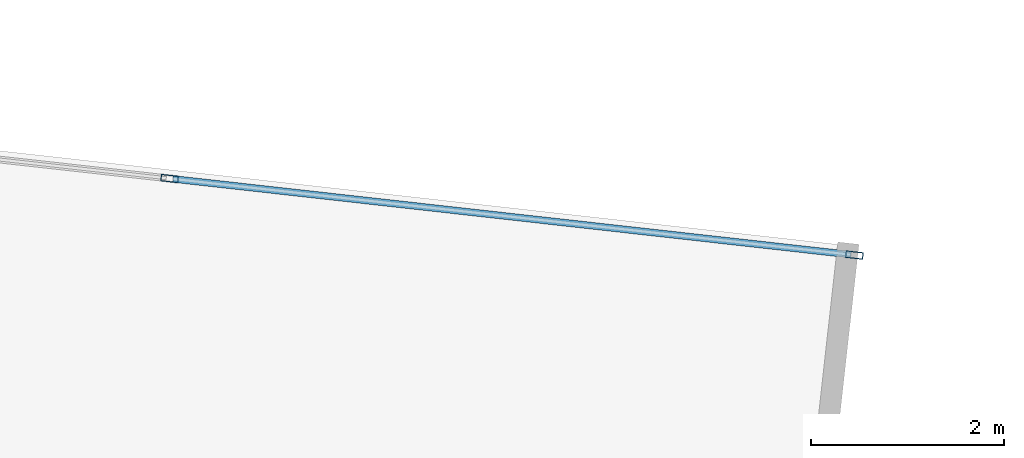
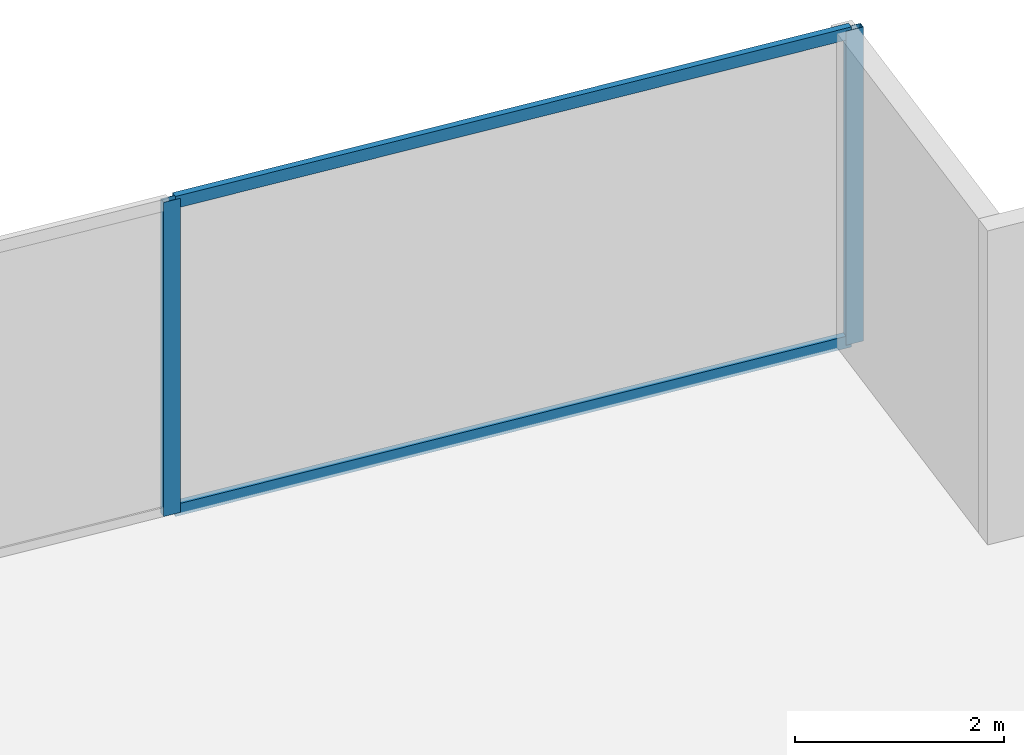
# One storey, part 23 of 29: 4 members, 1 element without a shape of its own.
"""IFC4 building model written with IfcOpenShell, lengths in metres."""

from ifc_helpers import new_model, si_unit, direction, frame, origin, origin_2d, place, context, subcontext, project, spatial, hollow_rectangle, extrude, source, transform, mapped, material, material_profile, profile_set, type_object, type_shapes, element, aggregate, save


model = new_model("IFC4")

# Units and contexts
model_context = context("Model", 3, precision=1e-05, world=origin(), true_north=direction((0.0, 1.0)))
body_context = subcontext(model_context, "Body", "Model", "MODEL_VIEW")
ifc_project = project(units=[si_unit("LENGTHUNIT", "METRE"), si_unit("AREAUNIT", "SQUARE_METRE"), si_unit("VOLUMEUNIT", "CUBIC_METRE"), si_unit("PLANEANGLEUNIT", "RADIAN"), si_unit("MASSUNIT", "GRAM", prefix="KILO")], contexts=[model_context])

# Site, building, storey
site_placement = place(None, origin())
site = spatial("IfcSite", under=ifc_project, at=site_placement, CompositionType="ELEMENT")
building_placement = place(site_placement, origin())
building = spatial("IfcBuilding", under=site, at=building_placement, Name="Krantzveldt Concourse Tower", CompositionType="ELEMENT")
storey_placement = place(building_placement, frame((0.0, 0.0, 60.550048828125)))
storey = spatial("IfcBuildingStorey", under=building, at=storey_placement, Name="L14", CompositionType="ELEMENT", Elevation=60.550048828125)

# Curtain wall, members
ifc_material = material(Name="Anodised aluminium 6063-T6", Category="aluminium")
curtain_wall_type = type_object("IfcCurtainWallType", Name="CW2", PredefinedType="USERDEFINED", material=ifc_material)
curtain_wall_placement = place(storey_placement, origin())
curtain_wall = element("IfcCurtainWall", 1, at=curtain_wall_placement, inside=storey, type_object=curtain_wall_type, Name="CW-L14-F10", ObjectType="UNITISED CURTAIN WALL", PredefinedType="USERDEFINED")
ifc_material_profile_1 = material_profile(ifc_material, hollow_rectangle(XDim=0.070068359375, YDim=0.179931640625, WallThickness=0.0048828125, at=origin_2d()), Name="Anodised aluminium 6063-T6", Category="aluminium")
ifc_profile_set_1 = profile_set([ifc_material_profile_1], Name="Anodised aluminium 6063-T6 - ALU-MULL 180x70x5")
member_type_1 = type_object("IfcMemberType", Name="CW-MUL-180", PredefinedType="MULLION", material=ifc_profile_set_1)
shared_shape_1 = source(origin(), body_context, "Body", "SweptSolid", [
    extrude(hollow_rectangle(XDim=0.070068359375, YDim=0.179931640625, WallThickness=0.0048828125, at=origin_2d()), origin(), (0.0, 0.0, 1.0), 3.669921875),
])
type_shapes(member_type_1, [shared_shape_1])
member_1_placement = place(storey_placement, frame((60.09814453125, 49.072509765625, 0.0), z_axis=(0.0, 0.0, 1.0), x_axis=(-0.111035342863, -0.993816458223, 0.0)))
member_1 = element("IfcMember", 2, at=member_1_placement, type_object=member_type_1, Name="CW-Z12 mullion 1", PredefinedType="MULLION", context=body_context, shape_type="MappedRepresentation", body=[
    mapped(shared_shape_1, transform((0.0, 0.0, 0.0), x_axis=(1.0, 0.0, 0.0), y_axis=(0.0, 1.0, 0.0), z_axis=(0.0, 0.0, 1.0), scale=1.0)),
])
member_2_placement = place(storey_placement, frame((53.010498046875, 49.864501953125, 0.0), z_axis=(0.0, 0.0, 1.0), x_axis=(-0.111035342863, -0.993816458223, 0.0)))
member_2 = element("IfcMember", 3, at=member_2_placement, type_object=member_type_1, Name="CW-Z12 mullion 2", PredefinedType="MULLION", context=body_context, shape_type="MappedRepresentation", body=[
    mapped(shared_shape_1, transform((0.0, 0.0, 0.0), x_axis=(1.0, 0.0, 0.0), y_axis=(0.0, 1.0, 0.0), z_axis=(0.0, 0.0, 1.0), scale=1.0)),
])
ifc_material_profile_2 = material_profile(ifc_material, hollow_rectangle(XDim=0.070068359375, YDim=0.139892578125, WallThickness=0.0048828125, at=origin_2d()), Name="Anodised aluminium 6063-T6", Category="aluminium")
ifc_profile_set_2 = profile_set([ifc_material_profile_2], Name="Anodised aluminium 6063-T6 - ALU-TRAN 140x70x5")
member_type_2 = type_object("IfcMemberType", Name="CW-TRN-150", PredefinedType="USERDEFINED", material=ifc_profile_set_2)
shared_shape_2 = source(origin(), body_context, "Body", "SweptSolid", [
    extrude(hollow_rectangle(XDim=0.070068359375, YDim=0.139892578125, WallThickness=0.0048828125, at=origin_2d()), origin(), (0.0, 0.0, 1.0), 7.061767578125),
])
type_shapes(member_type_2, [shared_shape_2])
member_3_placement = place(storey_placement, frame((60.0634765625, 49.076416015625, 0.034912109375), z_axis=(-0.993815243208, 0.111046217254, 0.0), x_axis=(-0.111046217254, -0.993815243208, 0.0)))
member_3 = element("IfcMember", 4, at=member_3_placement, type_object=member_type_2, Name="CW-Z12 transom 1.1", ObjectType="TRANSOM", PredefinedType="USERDEFINED", context=body_context, shape_type="MappedRepresentation", body=[
    mapped(shared_shape_2, transform((0.0, 0.0, 0.0), x_axis=(1.0, 0.0, 0.0), y_axis=(0.0, 1.0, 0.0), z_axis=(0.0, 0.0, 1.0), scale=1.0)),
])
member_4_placement = place(storey_placement, frame((60.0634765625, 49.076416015625, 3.635009765625), z_axis=(-0.993815243208, 0.111046217254, 0.0), x_axis=(-0.111046217254, -0.993815243208, 0.0)))
member_4 = element("IfcMember", 5, at=member_4_placement, type_object=member_type_2, Name="CW-Z12 transom 1.2", ObjectType="TRANSOM", PredefinedType="USERDEFINED", context=body_context, shape_type="MappedRepresentation", body=[
    mapped(shared_shape_2, transform((0.0, 0.0, 0.0), x_axis=(1.0, 0.0, 0.0), y_axis=(0.0, 1.0, 0.0), z_axis=(0.0, 0.0, 1.0), scale=1.0)),
])
aggregate(curtain_wall, [member_1, member_2, member_3, member_4])

save(model, "model.ifc")
